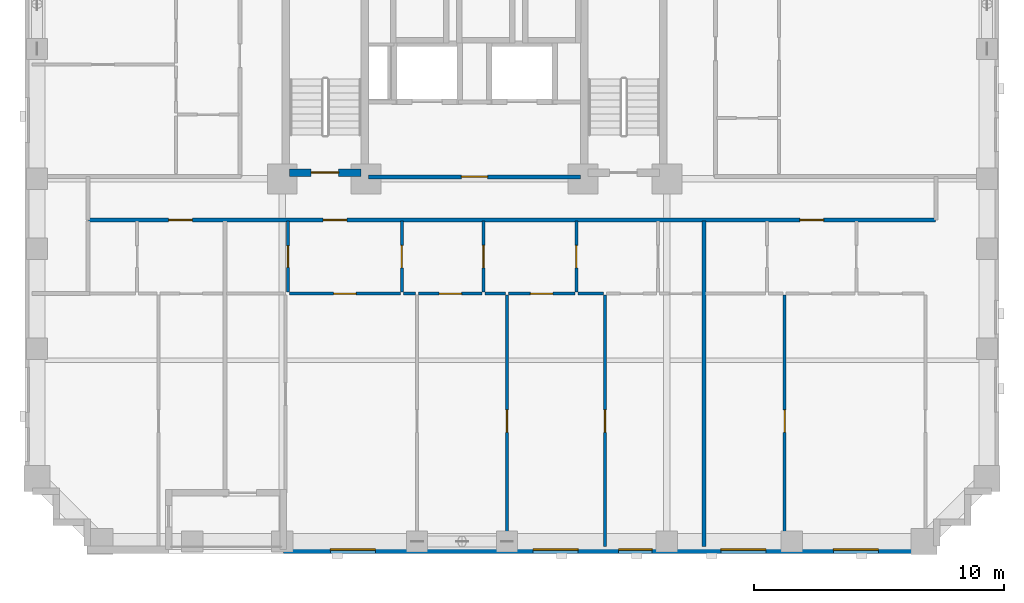
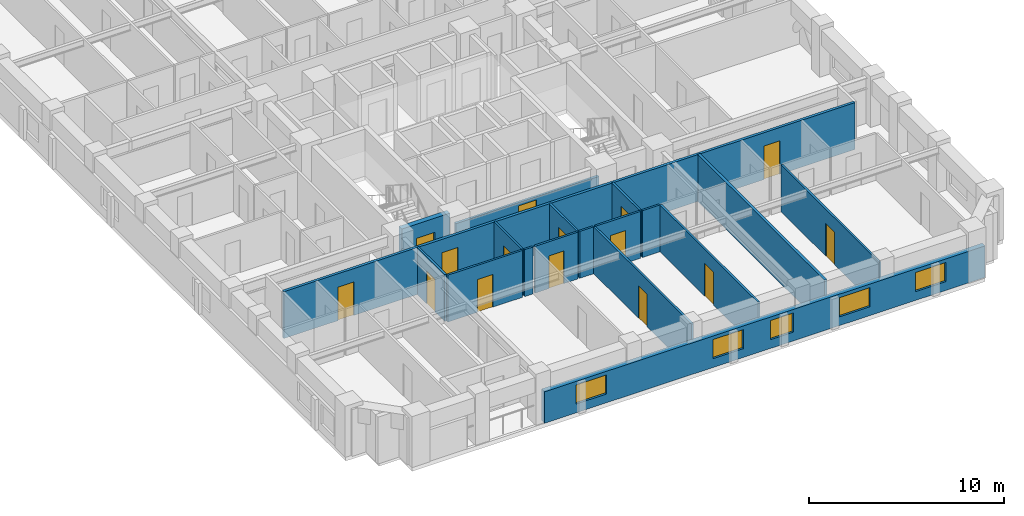
# One storey, part 3 of 14: 18 walls, 15 doors, 5 windows, 20 openings.
"""IFC4 building model written with IfcOpenShell, lengths in metres."""

import ifcopenshell
import ifcopenshell.guid

model = None  # the IFC model being written
_history = None  # IfcOwnerHistory: only IFC2X3 demands one
_inside = {}  # id of a spatial element -> (the spatial element, [elements in it])
_under = {}  # id of a project, library or spatial element -> (it, [spatial elements below it])
_declared = {}  # id of a project -> (the project, [libraries it declares])
_typed = {}  # id of a type object -> (the type object, [elements of that type])
_made_of = {}  # id of a material, layer set ... -> (it, [elements and type objects made of it])


def new_model(schema):
    """Start an empty IFC model of exactly this schema.

    Asked for "IFC4X3", IfcOpenShell would pick the latest addendum, in which some entities
    have other attributes; the version numbers below select the first issue.
    IFC2X3 requires an IfcOwnerHistory on every rooted entity: one is made here for all.
    """
    global model, _history
    if schema == "IFC4X3":
        model = ifcopenshell.file(schema_version=(4, 3, 0, 0))
    else:
        model = ifcopenshell.file(schema=schema)
    _inside.clear()
    _under.clear()
    _declared.clear()
    _typed.clear()
    _made_of.clear()
    _history = None
    if model.schema == "IFC2X3":
        org = make("IfcOrganization", Name="unknown")
        user = make(
            "IfcPersonAndOrganization",
            ThePerson=make("IfcPerson", FamilyName="unknown"),
            TheOrganization=org,
        )
        app = make(
            "IfcApplication",
            ApplicationDeveloper=org,
            Version="unknown",
            ApplicationFullName="unknown",
            ApplicationIdentifier="unknown",
        )
        _history = make(
            "IfcOwnerHistory",
            OwningUser=user,
            OwningApplication=app,
            ChangeAction="ADDED",
            CreationDate=0,
        )
    return model


def make(cls, **values):
    """One entity of the class cls with the attributes given. An attribute that is None is left unset."""
    return model.create_entity(
        cls, **{name: value for name, value in values.items() if value is not None}
    )


def rooted(cls, **values):
    """An entity with a GlobalId (a new one), such as an element, a storey or a relation."""
    return make(cls, GlobalId=ifcopenshell.guid.new(), OwnerHistory=_history, **values)


def si_unit(unit_type, name, prefix=None):
    """IfcSIUnit, for example si_unit("LENGTHUNIT", "METRE", prefix="MILLI")."""
    return make("IfcSIUnit", UnitType=unit_type, Prefix=prefix, Name=name)


def derived_unit(unit_type, elements):
    """IfcDerivedUnit: a product of units, each with its exponent."""
    return make(
        "IfcDerivedUnit",
        Elements=[
            make("IfcDerivedUnitElement", Unit=unit, Exponent=power)
            for unit, power in elements
        ],
        UnitType=unit_type,
    )


def assignment(units):
    """IfcUnitAssignment: the units of a project."""
    return None if units is None else make("IfcUnitAssignment", Units=units)


def point(xyz):
    """IfcCartesianPoint."""
    return None if xyz is None else make("IfcCartesianPoint", Coordinates=xyz)


def direction(xyz):
    """IfcDirection."""
    return None if xyz is None else make("IfcDirection", DirectionRatios=xyz)


def frame(location, z_axis=None, x_axis=None):
    """IfcAxis2Placement3D, a coordinate frame: its origin and axes. An axis left out is left unset."""
    return make(
        "IfcAxis2Placement3D",
        Location=point(location),
        Axis=direction(z_axis),
        RefDirection=direction(x_axis),
    )


def frame_2d(location, x_axis=None):
    """IfcAxis2Placement2D, a coordinate frame in the plane: its origin and x axis."""
    return make(
        "IfcAxis2Placement2D", Location=point(location), RefDirection=direction(x_axis)
    )


def origin():
    """The frame at (0, 0, 0) with its axes left unset."""
    return frame((0.0, 0.0, 0.0))


def place(relative_to, where):
    """IfcLocalPlacement: puts the frame where relative to a parent placement (None: the world)."""
    return make(
        "IfcLocalPlacement", PlacementRelTo=relative_to, RelativePlacement=where
    )


def context(
    kind, dimensions, precision=None, world=None, true_north=None, identifier=None
):
    """IfcGeometricRepresentationContext, for example the 3D "Model" context."""
    return make(
        "IfcGeometricRepresentationContext",
        ContextIdentifier=identifier,
        ContextType=kind,
        CoordinateSpaceDimension=dimensions,
        Precision=precision,
        WorldCoordinateSystem=world,
        TrueNorth=true_north,
    )


def subcontext(parent, identifier, kind, view, scale=None):
    """IfcGeometricRepresentationSubContext, for example "Body" below "Model"."""
    return make(
        "IfcGeometricRepresentationSubContext",
        ContextIdentifier=identifier,
        ContextType=kind,
        ParentContext=parent,
        TargetScale=scale,
        TargetView=view,
    )


def project(units=None, contexts=None):
    """IfcProject with its units and contexts."""
    return rooted(
        "IfcProject",
        Name="project",
        RepresentationContexts=contexts,
        UnitsInContext=assignment(units),
    )


def spatial(cls, under=None, at=None, **own):
    """A site, building, storey or space (cls), placed at a placement, below another one or the project."""
    s = rooted(cls, ObjectPlacement=at, **own)
    if under is not None:
        _under.setdefault(under.id(), (under, []))[1].append(s)
    return s


def profile(cls, at=None, kind="AREA", **sizes):
    """A parametric profile (cls). Its sizes go by their IFC names, for example OverallWidth=200.0."""
    return make(cls, ProfileType=kind, Position=at, **sizes)


def rectangle(**sizes):
    """IfcRectangleProfileDef."""
    return profile("IfcRectangleProfileDef", **sizes)


def extrude(swept, where, along, depth):
    """IfcExtrudedAreaSolid: the profile swept, set in the frame where, extruded along a direction by depth."""
    return make(
        "IfcExtrudedAreaSolid",
        SweptArea=swept,
        Position=where,
        ExtrudedDirection=direction(along),
        Depth=depth,
    )


def shape(context_of_items, identifier, shape_type, items):
    """IfcShapeRepresentation: the items that make up one representation, for example the "Body"."""
    return make(
        "IfcShapeRepresentation",
        ContextOfItems=context_of_items,
        RepresentationIdentifier=identifier,
        RepresentationType=shape_type,
        Items=items,
    )


def material(Name=None, Category=None):
    """IfcMaterial."""
    return make("IfcMaterial", Name=Name, Category=Category)


def layer(
    of_material, thickness, ventilated=None, Name=None, Category=None, Priority=None
):
    """IfcMaterialLayer: one layer of a wall or slab, of a material (None: an air gap)."""
    return make(
        "IfcMaterialLayer",
        Material=of_material,
        LayerThickness=thickness,
        IsVentilated=ventilated,
        Name=Name,
        Category=Category,
        Priority=Priority,
    )


def layer_set(layers, Name=None):
    """IfcMaterialLayerSet."""
    return make("IfcMaterialLayerSet", MaterialLayers=layers, LayerSetName=Name)


def made_of(thing, what):
    """Note that an element or type object is made of a material, layer set ...; save() writes the relation."""
    if what is not None:
        _made_of.setdefault(what.id(), (what, []))[1].append(thing)
    return thing


def type_object(cls, material=None, **own):
    """A type object (cls), such as IfcWallType, which elements share."""
    return made_of(rooted(cls, **own), material)


def element(
    cls,
    number,
    at=None,
    inside=None,
    cuts=None,
    type_object=None,
    material=None,
    context=None,
    identifier="Body",
    shape_type=None,
    held_by="IfcProductDefinitionShape",
    body=None,
    shapes=None,
    **own,
):
    """One element of the class cls, such as IfcWall. Its Tag is "e" and its number.

    at: its placement. inside: the storey or other place that contains it. cuts: it is an
    opening in that element (IfcRelVoidsElement). A single representation is given by context,
    identifier, shape_type and body (its items); several are given by shapes. held_by: the class
    of the entity that holds the representations. save() writes the other relations.
    """
    e = rooted(cls, Tag="e%d" % number, ObjectPlacement=at, **own)
    if body is not None:
        shapes = [shape(context, identifier, shape_type, body)]
    if shapes is not None:
        e.Representation = make(held_by, Representations=shapes)
    if inside is not None:
        _inside.setdefault(inside.id(), (inside, []))[1].append(e)
    if cuts is not None:
        rooted(
            "IfcRelVoidsElement", RelatingBuildingElement=cuts, RelatedOpeningElement=e
        )
    if type_object is not None:
        _typed.setdefault(type_object.id(), (type_object, []))[1].append(e)
    return made_of(e, material)


def fill(opening, filler):
    """IfcRelFillsElement: the door or window that sits in an opening."""
    return rooted(
        "IfcRelFillsElement",
        RelatingOpeningElement=opening,
        RelatedBuildingElement=filler,
    )


def aggregate(whole, parts):
    """IfcRelAggregates: a whole, such as a stair, and the parts it consists of."""
    return rooted("IfcRelAggregates", RelatingObject=whole, RelatedObjects=parts)


def save(model, path):
    """Write the relations noted so far, then the file.

    IfcRelAggregates (storeys below a building ...), IfcRelContainedInSpatialStructure (elements
    in a storey), IfcRelDefinesByType, IfcRelAssociatesMaterial and IfcRelDeclares: one each for
    every whole, place, type object, material and project.
    """
    for whole, parts in _under.values():
        aggregate(whole, parts)
    for where, things in _inside.values():
        rooted(
            "IfcRelContainedInSpatialStructure",
            RelatedElements=things,
            RelatingStructure=where,
        )
    for kind, things in _typed.values():
        rooted("IfcRelDefinesByType", RelatedObjects=things, RelatingType=kind)
    for what, things in _made_of.values():
        rooted("IfcRelAssociatesMaterial", RelatedObjects=things, RelatingMaterial=what)
    for by, libraries in _declared.values():
        rooted("IfcRelDeclares", RelatingContext=by, RelatedDefinitions=libraries)
    model.write(path)


model = new_model("IFC4")

# Units and contexts
model_context = context("Model", 3, precision=1e-05, world=origin(), true_north=direction((0.0, 1.0)))
body_context = subcontext(model_context, "Body", "Model", "MODEL_VIEW")
ifc_project = project(units=[si_unit("LENGTHUNIT", "METRE"), si_unit("AREAUNIT", "SQUARE_METRE"), si_unit("VOLUMEUNIT", "CUBIC_METRE"), si_unit("PLANEANGLEUNIT", "RADIAN"), si_unit("MASSUNIT", "GRAM", prefix="KILO"), derived_unit("THERMALTRANSMITTANCEUNIT", [(si_unit("MASSUNIT", "GRAM", prefix="KILO"), 1), (si_unit("TIMEUNIT", "SECOND"), -3), (si_unit("THERMODYNAMICTEMPERATUREUNIT", "KELVIN"), -1)])], contexts=[model_context])

# Site, building, storey
site_placement = place(None, origin())
site = spatial("IfcSite", under=ifc_project, at=site_placement, CompositionType="ELEMENT")
building_placement = place(site_placement, origin())
building = spatial("IfcBuilding", under=site, at=building_placement, Name="Korrvale Station Residences", CompositionType="ELEMENT")
storey_placement = place(building_placement, frame((0.0, 0.0, 48.199951171875)))
storey = spatial("IfcBuildingStorey", under=building, at=storey_placement, Name="L12", CompositionType="ELEMENT", Elevation=48.199951171875)

# Wall, opening, door
ifc_material_1 = material(Name="Concrete C70/85", Category="concrete")
ifc_layer_1 = layer(ifc_material_1, 0.300048828125, Name="Concrete C70/85")
ifc_layer_set_1 = layer_set([ifc_layer_1], Name="Concrete C70/85")
wall_type_1 = type_object("IfcWallType", Name="WAL-CORE-300-C70", PredefinedType="SHEAR", material=ifc_layer_set_1)
wall_1_placement = place(storey_placement, frame((18.10009765625, 15.25, 0.0), z_axis=(0.0, 0.0, 1.0), x_axis=(1.0, 0.0, 0.0)))
wall_1 = element("IfcWall", 1, at=wall_1_placement, inside=storey, type_object=wall_type_1, Name="L12 ST-1 Core Shear Wall South", PredefinedType="SHEAR", context=body_context, shape_type="SweptSolid", body=[
    extrude(rectangle(XDim=2.849853515625, YDim=0.300048828125, at=frame_2d((1.4248046875, 0.0))), origin(), (0.0, 0.0, 1.0), 2.93994140625),
])
opening_1_placement = place(wall_1_placement, frame((0.860107421875, 0.0, 0.0)))
opening_1 = element("IfcOpeningElement", 2, at=opening_1_placement, cuts=wall_1, Name="Opening SD-1100", PredefinedType="OPENING", context=body_context, shape_type="SweptSolid", body=[
    extrude(rectangle(XDim=1.10009765625, YDim=2.050048828125, at=frame_2d((0.550048828125, 1.02490234375))), frame((0.0, 0.16015625, 0.0), z_axis=(0.0, -1.0, 0.0), x_axis=(1.0, 0.0, 0.0)), (0.0, 0.0, 1.0), 0.320068359375),
])
ifc_material_2 = material(Name="Hollow-metal fire-rated stair door with closer", Category="steel")
door_type_1 = type_object("IfcDoorType", Name="DR-STAIR-1100", OperationType="NOTDEFINED", PredefinedType="DOOR", material=ifc_material_2)
door_1_placement = place(opening_1_placement, origin())
door_1 = element("IfcDoor", 3, at=door_1_placement, inside=storey, type_object=door_type_1, Name="L12 ST-1 Exit Stair Door", OperationType="SINGLE_SWING_LEFT", OverallHeight=2.050048828125, OverallWidth=1.10009765625, PredefinedType="DOOR", context=body_context, shape_type="SweptSolid", body=[
    extrude(rectangle(XDim=1.10009765625, YDim=2.050048828125, at=frame_2d((0.550048828125, 1.02490234375))), frame((0.0, 0.02490234375, 0.0), z_axis=(0.0, -1.0, 0.0), x_axis=(1.0, 0.0, 0.0)), (0.0, 0.0, 1.0), 0.050048828125),
])
fill(opening_1, door_1)

# Wall, openings, windows
ifc_material_3 = material(Name="Precast concrete C45/55", Category="concrete")
ifc_layer_2 = layer(ifc_material_3, 0.300048828125, Name="Precast concrete C45/55")
ifc_layer_set_2 = layer_set([ifc_layer_2], Name="Precast concrete C45/55")
wall_type_2 = type_object("IfcWallType", Name="WAL-EXT-PC300", PredefinedType="SOLIDWALL", material=ifc_layer_set_2)
wall_2_placement = place(storey_placement, frame((44.0, 0.14990234375, 0.0), z_axis=(0.0, 0.0, 1.0), x_axis=(-1.0, 0.0, 0.0)))
wall_2 = element("IfcWall", 4, at=wall_2_placement, inside=storey, type_object=wall_type_2, Name="L12 South Exterior Precast Wall 1", PredefinedType="SOLIDWALL", context=body_context, shape_type="SweptSolid", body=[
    extrude(rectangle(XDim=26.14990234375, YDim=0.300048828125, at=frame_2d((13.074951171875, 0.0))), origin(), (0.0, 0.0, 1.0), 1.97509765625),
])
opening_2_placement = place(wall_2_placement, frame((22.469970703125, 0.0, 0.550048828125)))
opening_2 = element("IfcOpeningElement", 5, at=opening_2_placement, cuts=wall_2, Name="Opening W-09", PredefinedType="OPENING", context=body_context, shape_type="SweptSolid", body=[
    extrude(rectangle(XDim=1.800048828125, YDim=1.199951171875, at=frame_2d((0.89990234375, 0.60009765625))), frame((0.0, 0.16015625, 0.0), z_axis=(0.0, -1.0, 0.0), x_axis=(1.0, 0.0, 0.0)), (0.0, 0.0, 1.0), 0.320068359375),
])
opening_3_placement = place(wall_2_placement, frame((14.35400390625, 0.0, 0.550048828125)))
opening_3 = element("IfcOpeningElement", 6, at=opening_3_placement, cuts=wall_2, Name="Opening W-09", PredefinedType="OPENING", context=body_context, shape_type="SweptSolid", body=[
    extrude(rectangle(XDim=1.800048828125, YDim=1.199951171875, at=frame_2d((0.89990234375, 0.60009765625))), frame((0.0, 0.16015625, 0.0), z_axis=(0.0, -1.0, 0.0), x_axis=(1.0, 0.0, 0.0)), (0.0, 0.0, 1.0), 0.320068359375),
])
opening_4_placement = place(wall_2_placement, frame((11.385009765625, 0.0, 0.550048828125)))
opening_4 = element("IfcOpeningElement", 7, at=opening_4_placement, cuts=wall_2, Name="Opening W-10", PredefinedType="OPENING", context=body_context, shape_type="SweptSolid", body=[
    extrude(rectangle(XDim=1.35009765625, YDim=1.199951171875, at=frame_2d((0.675048828125, 0.60009765625))), frame((0.0, 0.16015625, 0.0), z_axis=(0.0, -1.0, 0.0), x_axis=(1.0, 0.0, 0.0)), (0.0, 0.0, 1.0), 0.320068359375),
])
opening_5_placement = place(wall_2_placement, frame((6.839111328125, 0.0, 0.550048828125)))
opening_5 = element("IfcOpeningElement", 8, at=opening_5_placement, cuts=wall_2, Name="Opening W-09", PredefinedType="OPENING", context=body_context, shape_type="SweptSolid", body=[
    extrude(rectangle(XDim=1.800048828125, YDim=1.199951171875, at=frame_2d((0.89990234375, 0.60009765625))), frame((0.0, 0.16015625, 0.0), z_axis=(0.0, -1.0, 0.0), x_axis=(1.0, 0.0, 0.0)), (0.0, 0.0, 1.0), 0.320068359375),
])
opening_6_placement = place(wall_2_placement, frame((2.33203125, 0.0, 0.550048828125)))
opening_6 = element("IfcOpeningElement", 9, at=opening_6_placement, cuts=wall_2, Name="Opening W-09", PredefinedType="OPENING", context=body_context, shape_type="SweptSolid", body=[
    extrude(rectangle(XDim=1.800048828125, YDim=1.199951171875, at=frame_2d((0.89990234375, 0.60009765625))), frame((0.0, 0.16015625, 0.0), z_axis=(0.0, -1.0, 0.0), x_axis=(1.0, 0.0, 0.0)), (0.0, 0.0, 1.0), 0.320068359375),
])
ifc_material_4 = material(Name="Thermally broken aluminium frame with triple low-e glazing", Category="aluminium")
window_type_1 = type_object("IfcWindowType", Name="WIN-W09", PartitioningType="DOUBLE_PANEL_VERTICAL", PredefinedType="WINDOW", material=ifc_material_4)
window_1_placement = place(opening_2_placement, origin())
window_1 = element("IfcWindow", 10, at=window_1_placement, inside=storey, type_object=window_type_1, Name="L12 Punched Window 04", OverallHeight=1.199951171875, OverallWidth=1.800048828125, PartitioningType="DOUBLE_PANEL_VERTICAL", PredefinedType="WINDOW", context=body_context, shape_type="SweptSolid", body=[
    extrude(rectangle(XDim=1.800048828125, YDim=1.199951171875, at=frame_2d((0.89990234375, 0.60009765625))), frame((0.0, 0.030029296875, 0.0), z_axis=(0.0, -1.0, 0.0), x_axis=(1.0, 0.0, 0.0)), (0.0, 0.0, 1.0), 0.06005859375),
])
fill(opening_2, window_1)
window_2_placement = place(opening_3_placement, origin())
window_2 = element("IfcWindow", 11, at=window_2_placement, inside=storey, type_object=window_type_1, Name="L12 Punched Window 05", OverallHeight=1.199951171875, OverallWidth=1.800048828125, PartitioningType="DOUBLE_PANEL_VERTICAL", PredefinedType="WINDOW", context=body_context, shape_type="SweptSolid", body=[
    extrude(rectangle(XDim=1.800048828125, YDim=1.199951171875, at=frame_2d((0.89990234375, 0.60009765625))), frame((0.0, 0.030029296875, 0.0), z_axis=(0.0, -1.0, 0.0), x_axis=(1.0, 0.0, 0.0)), (0.0, 0.0, 1.0), 0.06005859375),
])
fill(opening_3, window_2)
window_3_placement = place(opening_5_placement, origin())
window_3 = element("IfcWindow", 12, at=window_3_placement, inside=storey, type_object=window_type_1, Name="L12 Punched Window 07", OverallHeight=1.199951171875, OverallWidth=1.800048828125, PartitioningType="DOUBLE_PANEL_VERTICAL", PredefinedType="WINDOW", context=body_context, shape_type="SweptSolid", body=[
    extrude(rectangle(XDim=1.800048828125, YDim=1.199951171875, at=frame_2d((0.89990234375, 0.60009765625))), frame((0.0, 0.030029296875, 0.0), z_axis=(0.0, -1.0, 0.0), x_axis=(1.0, 0.0, 0.0)), (0.0, 0.0, 1.0), 0.06005859375),
])
fill(opening_5, window_3)
window_4_placement = place(opening_6_placement, origin())
window_4 = element("IfcWindow", 13, at=window_4_placement, inside=storey, type_object=window_type_1, Name="L12 Punched Window 08", OverallHeight=1.199951171875, OverallWidth=1.800048828125, PartitioningType="DOUBLE_PANEL_VERTICAL", PredefinedType="WINDOW", context=body_context, shape_type="SweptSolid", body=[
    extrude(rectangle(XDim=1.800048828125, YDim=1.199951171875, at=frame_2d((0.89990234375, 0.60009765625))), frame((0.0, 0.030029296875, 0.0), z_axis=(0.0, -1.0, 0.0), x_axis=(1.0, 0.0, 0.0)), (0.0, 0.0, 1.0), 0.06005859375),
])
fill(opening_6, window_4)
window_type_2 = type_object("IfcWindowType", Name="WIN-W10", PartitioningType="SINGLE_PANEL", PredefinedType="WINDOW", material=ifc_material_4)
window_5_placement = place(opening_4_placement, origin())
window_5 = element("IfcWindow", 14, at=window_5_placement, inside=storey, type_object=window_type_2, Name="L12 Punched Window 06", OverallHeight=1.199951171875, OverallWidth=1.35009765625, PartitioningType="SINGLE_PANEL", PredefinedType="WINDOW", context=body_context, shape_type="SweptSolid", body=[
    extrude(rectangle(XDim=1.35009765625, YDim=1.199951171875, at=frame_2d((0.675048828125, 0.60009765625))), frame((0.0, 0.030029296875, 0.0), z_axis=(0.0, -1.0, 0.0), x_axis=(1.0, 0.0, 0.0)), (0.0, 0.0, 1.0), 0.06005859375),
])
fill(opening_4, window_5)

# Wall, opening, door
ifc_material_5 = material(Name="Acoustic steel-stud gypsum board partition", Category="steel")
ifc_layer_3 = layer(ifc_material_5, 0.1201171875, Name="Acoustic steel-stud gypsum board partition")
ifc_layer_set_3 = layer_set([ifc_layer_3], Name="Acoustic steel-stud gypsum board partition")
wall_type_3 = type_object("IfcWallType", Name="WAL-PART-125", PredefinedType="PARTITIONING", material=ifc_layer_set_3)
wall_3_placement = place(storey_placement, frame((18.02587890625, 10.4599609375, 0.0), z_axis=(0.0, 0.0, 1.0), x_axis=(0.0, 1.0, 0.0)))
wall_3 = element("IfcWall", 15, at=wall_3_placement, inside=storey, type_object=wall_type_3, Name="L12 Suite Partition U02-V01", PredefinedType="PARTITIONING", context=body_context, shape_type="SweptSolid", body=[
    extrude(rectangle(XDim=2.85009765625, YDim=0.1201171875, at=frame_2d((1.425048828125, 0.0))), origin(), (0.0, 0.0, 1.0), 2.93994140625),
])
opening_7_placement = place(wall_3_placement, frame((0.9951171875, 0.0, 0.0)))
opening_7 = element("IfcOpeningElement", 16, at=opening_7_placement, cuts=wall_3, Name="Opening DB-860", PredefinedType="OPENING", context=body_context, shape_type="SweptSolid", body=[
    extrude(rectangle(XDim=0.860107421875, YDim=2.050048828125, at=frame_2d((0.43017578125, 1.02490234375))), frame((0.0, 0.070068359375, 0.0), z_axis=(0.0, -1.0, 0.0), x_axis=(1.0, 0.0, 0.0)), (0.0, 0.0, 1.0), 0.14013671875),
])
ifc_material_6 = material(Name="Moisture-resistant solid-core bathroom door", Category="timber")
door_type_2 = type_object("IfcDoorType", Name="DR-BATH-860", OperationType="NOTDEFINED", PredefinedType="DOOR", material=ifc_material_6)
door_2_placement = place(opening_7_placement, origin())
door_2 = element("IfcDoor", 17, at=door_2_placement, inside=storey, type_object=door_type_2, Name="L12 Apartment 2BR L12-U02 Bathroom Door", OperationType="SINGLE_SWING_RIGHT", OverallHeight=2.050048828125, OverallWidth=0.860107421875, PredefinedType="DOOR", context=body_context, shape_type="SweptSolid", body=[
    extrude(rectangle(XDim=0.860107421875, YDim=2.050048828125, at=frame_2d((0.43017578125, 1.02490234375))), frame((0.0, 0.02490234375, 0.0), z_axis=(0.0, -1.0, 0.0), x_axis=(1.0, 0.0, 0.0)), (0.0, 0.0, 1.0), 0.050048828125),
])
fill(opening_7, door_2)

wall_4_placement = place(storey_placement, frame((22.5859375, 10.4599609375, 0.0), z_axis=(0.0, 0.0, 1.0), x_axis=(0.0, 1.0, 0.0)))
wall_4 = element("IfcWall", 18, at=wall_4_placement, inside=storey, type_object=wall_type_3, Name="L12 Suite Partition U02-V12", PredefinedType="PARTITIONING", context=body_context, shape_type="SweptSolid", body=[
    extrude(rectangle(XDim=2.85009765625, YDim=0.1201171875, at=frame_2d((1.425048828125, 0.0))), origin(), (0.0, 0.0, 1.0), 2.93994140625),
])
opening_8_placement = place(wall_4_placement, frame((0.97509765625, 0.0, 0.0)))
opening_8 = element("IfcOpeningElement", 19, at=opening_8_placement, cuts=wall_4, Name="Opening DI-900", PredefinedType="OPENING", context=body_context, shape_type="SweptSolid", body=[
    extrude(rectangle(XDim=0.89990234375, YDim=2.050048828125, at=frame_2d((0.449951171875, 1.02490234375))), frame((0.0, 0.070068359375, 0.0), z_axis=(0.0, -1.0, 0.0), x_axis=(1.0, 0.0, 0.0)), (0.0, 0.0, 1.0), 0.14013671875),
])
ifc_material_7 = material(Name="Painted solid-core timber interior room door", Category="wood")
door_type_3 = type_object("IfcDoorType", Name="DR-INT-900", OperationType="NOTDEFINED", PredefinedType="DOOR", material=ifc_material_7)
door_3_placement = place(opening_8_placement, origin())
door_3 = element("IfcDoor", 20, at=door_3_placement, inside=storey, type_object=door_type_3, Name="L12 Apartment 2BR L12-U02 Kitchen Door", OperationType="SINGLE_SWING_LEFT", OverallHeight=2.050048828125, OverallWidth=0.89990234375, PredefinedType="DOOR", context=body_context, shape_type="SweptSolid", body=[
    extrude(rectangle(XDim=0.89990234375, YDim=2.050048828125, at=frame_2d((0.449951171875, 1.02490234375))), frame((0.0, 0.02490234375, 0.0), z_axis=(0.0, -1.0, 0.0), x_axis=(1.0, 0.0, 0.0)), (0.0, 0.0, 1.0), 0.050048828125),
])
fill(opening_8, door_3)

wall_5_placement = place(storey_placement, frame((18.0859375, 10.39990234375, 0.0), z_axis=(0.0, 0.0, 1.0), x_axis=(1.0, 0.0, 0.0)))
wall_5 = element("IfcWall", 21, at=wall_5_placement, inside=storey, type_object=wall_type_3, Name="L12 Suite Partition U02-H17", PredefinedType="PARTITIONING", context=body_context, shape_type="SweptSolid", body=[
    extrude(rectangle(XDim=4.43994140625, YDim=0.1201171875, at=frame_2d((2.219970703125, 0.0))), origin(), (0.0, 0.0, 1.0), 2.93994140625),
])
opening_9_placement = place(wall_5_placement, frame((1.77001953125, 0.0, 0.0)))
opening_9 = element("IfcOpeningElement", 22, at=opening_9_placement, cuts=wall_5, Name="Opening DI-900", PredefinedType="OPENING", context=body_context, shape_type="SweptSolid", body=[
    extrude(rectangle(XDim=0.89990234375, YDim=2.050048828125, at=frame_2d((0.449951171875, 1.02490234375))), frame((0.0, 0.070068359375, 0.0), z_axis=(0.0, -1.0, 0.0), x_axis=(1.0, 0.0, 0.0)), (0.0, 0.0, 1.0), 0.14013671875),
])
door_4_placement = place(opening_9_placement, origin())
door_4 = element("IfcDoor", 23, at=door_4_placement, inside=storey, type_object=door_type_3, Name="L12 Apartment 2BR L12-U02 Kitchen Door", OperationType="SINGLE_SWING_RIGHT", OverallHeight=2.050048828125, OverallWidth=0.89990234375, PredefinedType="DOOR", context=body_context, shape_type="SweptSolid", body=[
    extrude(rectangle(XDim=0.89990234375, YDim=2.050048828125, at=frame_2d((0.449951171875, 1.02490234375))), frame((0.0, 0.02490234375, 0.0), z_axis=(0.0, -1.0, 0.0), x_axis=(1.0, 0.0, 0.0)), (0.0, 0.0, 1.0), 0.050048828125),
])
fill(opening_9, door_4)

wall_6_placement = place(storey_placement, frame((25.85595703125, 10.4599609375, 0.0), z_axis=(0.0, 0.0, 1.0), x_axis=(0.0, 1.0, 0.0)))
wall_6 = element("IfcWall", 24, at=wall_6_placement, inside=storey, type_object=wall_type_3, Name="L12 Suite Partition U02-V23", PredefinedType="PARTITIONING", context=body_context, shape_type="SweptSolid", body=[
    extrude(rectangle(XDim=2.85009765625, YDim=0.1201171875, at=frame_2d((1.425048828125, 0.0))), origin(), (0.0, 0.0, 1.0), 2.93994140625),
])
opening_10_placement = place(wall_6_placement, frame((0.97509765625, 0.0, 0.0)))
opening_10 = element("IfcOpeningElement", 25, at=opening_10_placement, cuts=wall_6, Name="Opening DI-900", PredefinedType="OPENING", context=body_context, shape_type="SweptSolid", body=[
    extrude(rectangle(XDim=0.89990234375, YDim=2.050048828125, at=frame_2d((0.449951171875, 1.02490234375))), frame((0.0, 0.070068359375, 0.0), z_axis=(0.0, -1.0, 0.0), x_axis=(1.0, 0.0, 0.0)), (0.0, 0.0, 1.0), 0.14013671875),
])
door_5_placement = place(opening_10_placement, origin())
door_5 = element("IfcDoor", 26, at=door_5_placement, inside=storey, type_object=door_type_3, Name="L12 Apartment 2BR L12-U02 Utility and Laundry Room Door", OperationType="SINGLE_SWING_LEFT", OverallHeight=2.050048828125, OverallWidth=0.89990234375, PredefinedType="DOOR", context=body_context, shape_type="SweptSolid", body=[
    extrude(rectangle(XDim=0.89990234375, YDim=2.050048828125, at=frame_2d((0.449951171875, 1.02490234375))), frame((0.0, 0.02490234375, 0.0), z_axis=(0.0, -1.0, 0.0), x_axis=(1.0, 0.0, 0.0)), (0.0, 0.0, 1.0), 0.050048828125),
])
fill(opening_10, door_5)

# Wall
wall_7_placement = place(storey_placement, frame((22.64599609375, 10.39990234375, 0.0), z_axis=(0.0, 0.0, 1.0), x_axis=(1.0, 0.0, 0.0)))
element("IfcWall", 27, at=wall_7_placement, inside=storey, type_object=wall_type_3, Name="L12 Suite Partition U02-H27", PredefinedType="PARTITIONING", context=body_context, shape_type="SweptSolid", body=[
    extrude(rectangle(XDim=0.493896484375, YDim=0.1201171875, at=frame_2d((0.2470703125, 0.0))), origin(), (0.0, 0.0, 1.0), 2.93994140625),
])

# Wall, opening, door
wall_8_placement = place(storey_placement, frame((23.260009765625, 10.39990234375, 0.0), z_axis=(0.0, 0.0, 1.0), x_axis=(1.0, 0.0, 0.0)))
wall_8 = element("IfcWall", 28, at=wall_8_placement, inside=storey, type_object=wall_type_3, Name="L12 Suite Partition U02-H28", PredefinedType="PARTITIONING", context=body_context, shape_type="SweptSolid", body=[
    extrude(rectangle(XDim=2.535888671875, YDim=0.1201171875, at=frame_2d((1.26806640625, 0.0))), origin(), (0.0, 0.0, 1.0), 2.93994140625),
])
opening_11_placement = place(wall_8_placement, frame((0.818115234375, 0.0, 0.0)))
opening_11 = element("IfcOpeningElement", 29, at=opening_11_placement, cuts=wall_8, Name="Opening DI-900", PredefinedType="OPENING", context=body_context, shape_type="SweptSolid", body=[
    extrude(rectangle(XDim=0.89990234375, YDim=2.050048828125, at=frame_2d((0.449951171875, 1.02490234375))), frame((0.0, 0.070068359375, 0.0), z_axis=(0.0, -1.0, 0.0), x_axis=(1.0, 0.0, 0.0)), (0.0, 0.0, 1.0), 0.14013671875),
])
door_6_placement = place(opening_11_placement, origin())
door_6 = element("IfcDoor", 30, at=door_6_placement, inside=storey, type_object=door_type_3, Name="L12 Apartment 2BR L12-U02 Utility and Laundry Room Door", OperationType="SINGLE_SWING_RIGHT", OverallHeight=2.050048828125, OverallWidth=0.89990234375, PredefinedType="DOOR", context=body_context, shape_type="SweptSolid", body=[
    extrude(rectangle(XDim=0.89990234375, YDim=2.050048828125, at=frame_2d((0.449951171875, 1.02490234375))), frame((0.0, 0.02490234375, 0.0), z_axis=(0.0, -1.0, 0.0), x_axis=(1.0, 0.0, 0.0)), (0.0, 0.0, 1.0), 0.050048828125),
])
fill(opening_11, door_6)

wall_9_placement = place(storey_placement, frame((29.575927734375, 10.4599609375, 0.0), z_axis=(0.0, 0.0, 1.0), x_axis=(0.0, 1.0, 0.0)))
wall_9 = element("IfcWall", 31, at=wall_9_placement, inside=storey, type_object=wall_type_3, Name="L12 Suite Partition U02-V34", PredefinedType="PARTITIONING", context=body_context, shape_type="SweptSolid", body=[
    extrude(rectangle(XDim=2.85009765625, YDim=0.1201171875, at=frame_2d((1.425048828125, 0.0))), origin(), (0.0, 0.0, 1.0), 2.93994140625),
])
opening_12_placement = place(wall_9_placement, frame((0.97509765625, 0.0, 0.0)))
opening_12 = element("IfcOpeningElement", 32, at=opening_12_placement, cuts=wall_9, Name="Opening DI-900", PredefinedType="OPENING", context=body_context, shape_type="SweptSolid", body=[
    extrude(rectangle(XDim=0.89990234375, YDim=2.050048828125, at=frame_2d((0.449951171875, 1.02490234375))), frame((0.0, 0.070068359375, 0.0), z_axis=(0.0, -1.0, 0.0), x_axis=(1.0, 0.0, 0.0)), (0.0, 0.0, 1.0), 0.14013671875),
])
door_7_placement = place(opening_12_placement, origin())
door_7 = element("IfcDoor", 33, at=door_7_placement, inside=storey, type_object=door_type_3, Name="L12 Apartment 2BR L12-U02 Storage Closet 2 Door", OperationType="SINGLE_SWING_LEFT", OverallHeight=2.050048828125, OverallWidth=0.89990234375, PredefinedType="DOOR", context=body_context, shape_type="SweptSolid", body=[
    extrude(rectangle(XDim=0.89990234375, YDim=2.050048828125, at=frame_2d((0.449951171875, 1.02490234375))), frame((0.0, 0.02490234375, 0.0), z_axis=(0.0, -1.0, 0.0), x_axis=(1.0, 0.0, 0.0)), (0.0, 0.0, 1.0), 0.050048828125),
])
fill(opening_12, door_7)

# Wall
wall_10_placement = place(storey_placement, frame((25.916015625, 10.39990234375, 0.0), z_axis=(0.0, 0.0, 1.0), x_axis=(1.0, 0.0, 0.0)))
element("IfcWall", 34, at=wall_10_placement, inside=storey, type_object=wall_type_3, Name="L12 Suite Partition U02-H38", PredefinedType="PARTITIONING", context=body_context, shape_type="SweptSolid", body=[
    extrude(rectangle(XDim=0.823974609375, YDim=0.1201171875, at=frame_2d((0.412109375, 0.0))), origin(), (0.0, 0.0, 1.0), 2.93994140625),
])

# Wall, opening, door
wall_11_placement = place(storey_placement, frame((26.860107421875, 10.39990234375, 0.0), z_axis=(0.0, 0.0, 1.0), x_axis=(1.0, 0.0, 0.0)))
wall_11 = element("IfcWall", 35, at=wall_11_placement, inside=storey, type_object=wall_type_3, Name="L12 Suite Partition U02-H39", PredefinedType="PARTITIONING", context=body_context, shape_type="SweptSolid", body=[
    extrude(rectangle(XDim=2.656005859375, YDim=0.1201171875, at=frame_2d((1.328125, 0.0))), origin(), (0.0, 0.0, 1.0), 2.93994140625),
])
opening_13_placement = place(wall_11_placement, frame((0.8779296875, 0.0, 0.0)))
opening_13 = element("IfcOpeningElement", 36, at=opening_13_placement, cuts=wall_11, Name="Opening DI-900", PredefinedType="OPENING", context=body_context, shape_type="SweptSolid", body=[
    extrude(rectangle(XDim=0.89990234375, YDim=2.050048828125, at=frame_2d((0.449951171875, 1.02490234375))), frame((0.0, 0.070068359375, 0.0), z_axis=(0.0, -1.0, 0.0), x_axis=(1.0, 0.0, 0.0)), (0.0, 0.0, 1.0), 0.14013671875),
])
door_8_placement = place(opening_13_placement, origin())
door_8 = element("IfcDoor", 37, at=door_8_placement, inside=storey, type_object=door_type_3, Name="L12 Apartment 2BR L12-U02 Storage Closet 2 Door", OperationType="SINGLE_SWING_RIGHT", OverallHeight=2.050048828125, OverallWidth=0.89990234375, PredefinedType="DOOR", context=body_context, shape_type="SweptSolid", body=[
    extrude(rectangle(XDim=0.89990234375, YDim=2.050048828125, at=frame_2d((0.449951171875, 1.02490234375))), frame((0.0, 0.02490234375, 0.0), z_axis=(0.0, -1.0, 0.0), x_axis=(1.0, 0.0, 0.0)), (0.0, 0.0, 1.0), 0.050048828125),
])
fill(opening_13, door_8)

# Wall
wall_12_placement = place(storey_placement, frame((29.635986328125, 10.39990234375, 0.0), z_axis=(0.0, 0.0, 1.0), x_axis=(1.0, 0.0, 0.0)))
element("IfcWall", 38, at=wall_12_placement, inside=storey, type_object=wall_type_3, Name="L12 Suite Partition U02-H49", PredefinedType="PARTITIONING", context=body_context, shape_type="SweptSolid", body=[
    extrude(rectangle(XDim=1.031982421875, YDim=0.1201171875, at=frame_2d((0.51611328125, 0.0))), origin(), (0.0, 0.0, 1.0), 2.93994140625),
])

# Wall, opening, door
wall_13_placement = place(storey_placement, frame((26.800048828125, 0.280029296875, 0.0), z_axis=(0.0, 0.0, 1.0), x_axis=(0.0, 1.0, 0.0)))
wall_13 = element("IfcWall", 39, at=wall_13_placement, inside=storey, type_object=wall_type_3, Name="L12 Suite Partition U02-V89", PredefinedType="PARTITIONING", context=body_context, shape_type="SweptSolid", body=[
    extrude(rectangle(XDim=10.06005859375, YDim=0.1201171875, at=frame_2d((5.030029296875, 0.0))), origin(), (0.0, 0.0, 1.0), 2.93994140625),
])
opening_14_placement = place(wall_13_placement, frame((4.56494140625, 0.0, 0.0)))
opening_14 = element("IfcOpeningElement", 40, at=opening_14_placement, cuts=wall_13, Name="Opening DI-900", PredefinedType="OPENING", context=body_context, shape_type="SweptSolid", body=[
    extrude(rectangle(XDim=0.89990234375, YDim=2.050048828125, at=frame_2d((0.449951171875, 1.02490234375))), frame((0.0, 0.070068359375, 0.0), z_axis=(0.0, -1.0, 0.0), x_axis=(1.0, 0.0, 0.0)), (0.0, 0.0, 1.0), 0.14013671875),
])
door_9_placement = place(opening_14_placement, origin())
door_9 = element("IfcDoor", 41, at=door_9_placement, inside=storey, type_object=door_type_3, Name="L12 Apartment 2BR L12-U02 Wardrobe Storage Room Door", OperationType="SINGLE_SWING_RIGHT", OverallHeight=2.050048828125, OverallWidth=0.89990234375, PredefinedType="DOOR", context=body_context, shape_type="SweptSolid", body=[
    extrude(rectangle(XDim=0.89990234375, YDim=2.050048828125, at=frame_2d((0.449951171875, 1.02490234375))), frame((0.0, 0.02490234375, 0.0), z_axis=(0.0, -1.0, 0.0), x_axis=(1.0, 0.0, 0.0)), (0.0, 0.0, 1.0), 0.050048828125),
])
fill(opening_14, door_9)

wall_14_placement = place(storey_placement, frame((30.72802734375, 0.280029296875, 0.0), z_axis=(0.0, 0.0, 1.0), x_axis=(0.0, 1.0, 0.0)))
wall_14 = element("IfcWall", 42, at=wall_14_placement, inside=storey, type_object=wall_type_3, Name="L12 Suite Partition U02-V910", PredefinedType="PARTITIONING", context=body_context, shape_type="SweptSolid", body=[
    extrude(rectangle(XDim=10.06005859375, YDim=0.1201171875, at=frame_2d((5.030029296875, 0.0))), origin(), (0.0, 0.0, 1.0), 2.93994140625),
])
opening_15_placement = place(wall_14_placement, frame((4.56494140625, 0.0, 0.0)))
opening_15 = element("IfcOpeningElement", 43, at=opening_15_placement, cuts=wall_14, Name="Opening DI-900", PredefinedType="OPENING", context=body_context, shape_type="SweptSolid", body=[
    extrude(rectangle(XDim=0.89990234375, YDim=2.050048828125, at=frame_2d((0.449951171875, 1.02490234375))), frame((0.0, 0.070068359375, 0.0), z_axis=(0.0, -1.0, 0.0), x_axis=(1.0, 0.0, 0.0)), (0.0, 0.0, 1.0), 0.14013671875),
])
door_10_placement = place(opening_15_placement, origin())
door_10 = element("IfcDoor", 44, at=door_10_placement, inside=storey, type_object=door_type_3, Name="L12 Apartment 2BR L12-U02 Bedroom 1 Door", OperationType="SINGLE_SWING_LEFT", OverallHeight=2.050048828125, OverallWidth=0.89990234375, PredefinedType="DOOR", context=body_context, shape_type="SweptSolid", body=[
    extrude(rectangle(XDim=0.89990234375, YDim=2.050048828125, at=frame_2d((0.449951171875, 1.02490234375))), frame((0.0, 0.02490234375, 0.0), z_axis=(0.0, -1.0, 0.0), x_axis=(1.0, 0.0, 0.0)), (0.0, 0.0, 1.0), 0.050048828125),
])
fill(opening_15, door_10)

wall_15_placement = place(storey_placement, frame((37.916015625, 0.280029296875, 0.0), z_axis=(0.0, 0.0, 1.0), x_axis=(0.0, 1.0, 0.0)))
wall_15 = element("IfcWall", 45, at=wall_15_placement, inside=storey, type_object=wall_type_3, Name="L12 Suite Partition U03-V34", PredefinedType="PARTITIONING", context=body_context, shape_type="SweptSolid", body=[
    extrude(rectangle(XDim=10.06005859375, YDim=0.1201171875, at=frame_2d((5.030029296875, 0.0))), origin(), (0.0, 0.0, 1.0), 2.93994140625),
])
opening_16_placement = place(wall_15_placement, frame((4.56494140625, 0.0, 0.0)))
opening_16 = element("IfcOpeningElement", 46, at=opening_16_placement, cuts=wall_15, Name="Opening DI-900", PredefinedType="OPENING", context=body_context, shape_type="SweptSolid", body=[
    extrude(rectangle(XDim=0.89990234375, YDim=2.050048828125, at=frame_2d((0.449951171875, 1.02490234375))), frame((0.0, 0.070068359375, 0.0), z_axis=(0.0, -1.0, 0.0), x_axis=(1.0, 0.0, 0.0)), (0.0, 0.0, 1.0), 0.14013671875),
])
door_11_placement = place(opening_16_placement, origin())
door_11 = element("IfcDoor", 47, at=door_11_placement, inside=storey, type_object=door_type_3, Name="L12 Studio Apartment L12-U03 Formal Dining Room Door", OperationType="SINGLE_SWING_RIGHT", OverallHeight=2.050048828125, OverallWidth=0.89990234375, PredefinedType="DOOR", context=body_context, shape_type="SweptSolid", body=[
    extrude(rectangle(XDim=0.89990234375, YDim=2.050048828125, at=frame_2d((0.449951171875, 1.02490234375))), frame((0.0, 0.02490234375, 0.0), z_axis=(0.0, -1.0, 0.0), x_axis=(1.0, 0.0, 0.0)), (0.0, 0.0, 1.0), 0.050048828125),
])
fill(opening_16, door_11)

ifc_material_8 = material(Name="Fire-rated twin-stud gypsum and mineral wool shaftwall assembly", Category="gypsum")
ifc_layer_4 = layer(ifc_material_8, 0.159912109375, Name="Fire-rated twin-stud gypsum and mineral wool shaftwall assembly")
ifc_layer_set_4 = layer_set([ifc_layer_4], Name="Fire-rated twin-stud gypsum and mineral wool shaftwall assembly")
wall_type_4 = type_object("IfcWallType", Name="WAL-PART-200", PredefinedType="PARTITIONING", material=ifc_layer_set_4)
wall_16_placement = place(storey_placement, frame((21.25, 15.080078125, 0.0), z_axis=(0.0, 0.0, 1.0), x_axis=(1.0, 0.0, 0.0)))
wall_16 = element("IfcWall", 48, at=wall_16_placement, inside=storey, type_object=wall_type_4, Name="L12 Core Partition CW-FFL-S", PredefinedType="PARTITIONING", context=body_context, shape_type="SweptSolid", body=[
    extrude(rectangle(XDim=8.5, YDim=0.159912109375, at=frame_2d((4.25, 0.0))), origin(), (0.0, 0.0, 1.0), 2.23193359375),
])
opening_17_placement = place(wall_16_placement, frame((3.72509765625, 0.0, 0.0)))
opening_17 = element("IfcOpeningElement", 49, at=opening_17_placement, cuts=wall_16, Name="Opening FD-1050", PredefinedType="OPENING", context=body_context, shape_type="SweptSolid", body=[
    extrude(rectangle(XDim=1.050048828125, YDim=2.050048828125, at=frame_2d((0.52490234375, 1.02490234375))), frame((0.0, 0.08984375, 0.0), z_axis=(0.0, -1.0, 0.0), x_axis=(1.0, 0.0, 0.0)), (0.0, 0.0, 1.0), 0.179931640625),
])
ifc_material_9 = material(Name="Fire-rated mineral-core timber lobby door", Category="wood")
door_type_4 = type_object("IfcDoorType", Name="DR-CORE-1050", OperationType="NOTDEFINED", PredefinedType="DOOR", material=ifc_material_9)
door_12_placement = place(opening_17_placement, origin())
door_12 = element("IfcDoor", 50, at=door_12_placement, inside=storey, type_object=door_type_4, Name="L12 Firefighting Lobby Entry Door", OperationType="SINGLE_SWING_LEFT", OverallHeight=2.050048828125, OverallWidth=1.050048828125, PredefinedType="DOOR", context=body_context, shape_type="SweptSolid", body=[
    extrude(rectangle(XDim=1.050048828125, YDim=2.050048828125, at=frame_2d((0.52490234375, 1.02490234375))), frame((0.0, 0.02490234375, 0.0), z_axis=(0.0, -1.0, 0.0), x_axis=(1.0, 0.0, 0.0)), (0.0, 0.0, 1.0), 0.050048828125),
])
fill(opening_17, door_12)

# Wall
wall_17_placement = place(storey_placement, frame((34.696044921875, 0.280029296875, 0.0), z_axis=(0.0, 0.0, 1.0), x_axis=(0.0, 1.0, 0.0)))
element("IfcWall", 51, at=wall_17_placement, inside=storey, type_object=wall_type_4, Name="L12 Demising Wall U03-W", PredefinedType="PARTITIONING", context=body_context, shape_type="SweptSolid", body=[
    extrude(rectangle(XDim=13.030029296875, YDim=0.159912109375, at=frame_2d((6.51513671875, 0.0))), origin(), (0.0, 0.0, 1.0), 2.93994140625),
])

# Wall, openings, doors
wall_18_placement = place(storey_placement, frame((10.050048828125, 13.35009765625, 0.0), z_axis=(0.0, 0.0, 1.0), x_axis=(1.0, 0.0, 0.0)))
wall_18 = element("IfcWall", 52, at=wall_18_placement, inside=storey, type_object=wall_type_4, Name="L12 Rated Corridor Wall S", PredefinedType="PARTITIONING", context=body_context, shape_type="SweptSolid", body=[
    extrude(rectangle(XDim=33.89990234375, YDim=0.159912109375, at=frame_2d((16.949951171875, 0.0))), origin(), (0.0, 0.0, 1.0), 2.93994140625),
])
opening_18_placement = place(wall_18_placement, frame((3.202880859375, 0.0, 0.0)))
opening_18 = element("IfcOpeningElement", 53, at=opening_18_placement, cuts=wall_18, Name="Opening UD-950", PredefinedType="OPENING", context=body_context, shape_type="SweptSolid", body=[
    extrude(rectangle(XDim=0.949951171875, YDim=2.10009765625, at=frame_2d((0.47509765625, 1.050048828125))), frame((0.0, 0.08984375, 0.0), z_axis=(0.0, -1.0, 0.0), x_axis=(1.0, 0.0, 0.0)), (0.0, 0.0, 1.0), 0.179931640625),
])
opening_19_placement = place(wall_18_placement, frame((9.389892578125, 0.0, 0.0)))
opening_19 = element("IfcOpeningElement", 54, at=opening_19_placement, cuts=wall_18, Name="Opening UD-950", PredefinedType="OPENING", context=body_context, shape_type="SweptSolid", body=[
    extrude(rectangle(XDim=0.949951171875, YDim=2.10009765625, at=frame_2d((0.47509765625, 1.050048828125))), frame((0.0, 0.08984375, 0.0), z_axis=(0.0, -1.0, 0.0), x_axis=(1.0, 0.0, 0.0)), (0.0, 0.0, 1.0), 0.179931640625),
])
opening_20_placement = place(wall_18_placement, frame((28.47607421875, 0.0, 0.0)))
opening_20 = element("IfcOpeningElement", 55, at=opening_20_placement, cuts=wall_18, Name="Opening UD-950", PredefinedType="OPENING", context=body_context, shape_type="SweptSolid", body=[
    extrude(rectangle(XDim=0.949951171875, YDim=2.10009765625, at=frame_2d((0.47509765625, 1.050048828125))), frame((0.0, 0.08984375, 0.0), z_axis=(0.0, -1.0, 0.0), x_axis=(1.0, 0.0, 0.0)), (0.0, 0.0, 1.0), 0.179931640625),
])
ifc_material_10 = material(Name="Solid-core acoustic oak apartment entrance door", Category="timber")
door_type_5 = type_object("IfcDoorType", Name="DR-UNIT-950", OperationType="NOTDEFINED", PredefinedType="DOOR", material=ifc_material_10)
door_13_placement = place(opening_18_placement, origin())
door_13 = element("IfcDoor", 56, at=door_13_placement, inside=storey, type_object=door_type_5, Name="L12 Apartment L12-U01 Entrance Door", OperationType="SINGLE_SWING_LEFT", OverallHeight=2.10009765625, OverallWidth=0.949951171875, PredefinedType="DOOR", context=body_context, shape_type="SweptSolid", body=[
    extrude(rectangle(XDim=0.949951171875, YDim=2.10009765625, at=frame_2d((0.47509765625, 1.050048828125))), frame((0.0, 0.02490234375, 0.0), z_axis=(0.0, -1.0, 0.0), x_axis=(1.0, 0.0, 0.0)), (0.0, 0.0, 1.0), 0.050048828125),
])
fill(opening_18, door_13)
door_14_placement = place(opening_19_placement, origin())
door_14 = element("IfcDoor", 57, at=door_14_placement, inside=storey, type_object=door_type_5, Name="L12 Apartment L12-U02 Entrance Door", OperationType="SINGLE_SWING_RIGHT", OverallHeight=2.10009765625, OverallWidth=0.949951171875, PredefinedType="DOOR", context=body_context, shape_type="SweptSolid", body=[
    extrude(rectangle(XDim=0.949951171875, YDim=2.10009765625, at=frame_2d((0.47509765625, 1.050048828125))), frame((0.0, 0.02490234375, 0.0), z_axis=(0.0, -1.0, 0.0), x_axis=(1.0, 0.0, 0.0)), (0.0, 0.0, 1.0), 0.050048828125),
])
fill(opening_19, door_14)
door_15_placement = place(opening_20_placement, origin())
door_15 = element("IfcDoor", 58, at=door_15_placement, inside=storey, type_object=door_type_5, Name="L12 Apartment L12-U03 Entrance Door", OperationType="SINGLE_SWING_LEFT", OverallHeight=2.10009765625, OverallWidth=0.949951171875, PredefinedType="DOOR", context=body_context, shape_type="SweptSolid", body=[
    extrude(rectangle(XDim=0.949951171875, YDim=2.10009765625, at=frame_2d((0.47509765625, 1.050048828125))), frame((0.0, 0.02490234375, 0.0), z_axis=(0.0, -1.0, 0.0), x_axis=(1.0, 0.0, 0.0)), (0.0, 0.0, 1.0), 0.050048828125),
])
fill(opening_20, door_15)

save(model, "model.ifc")
